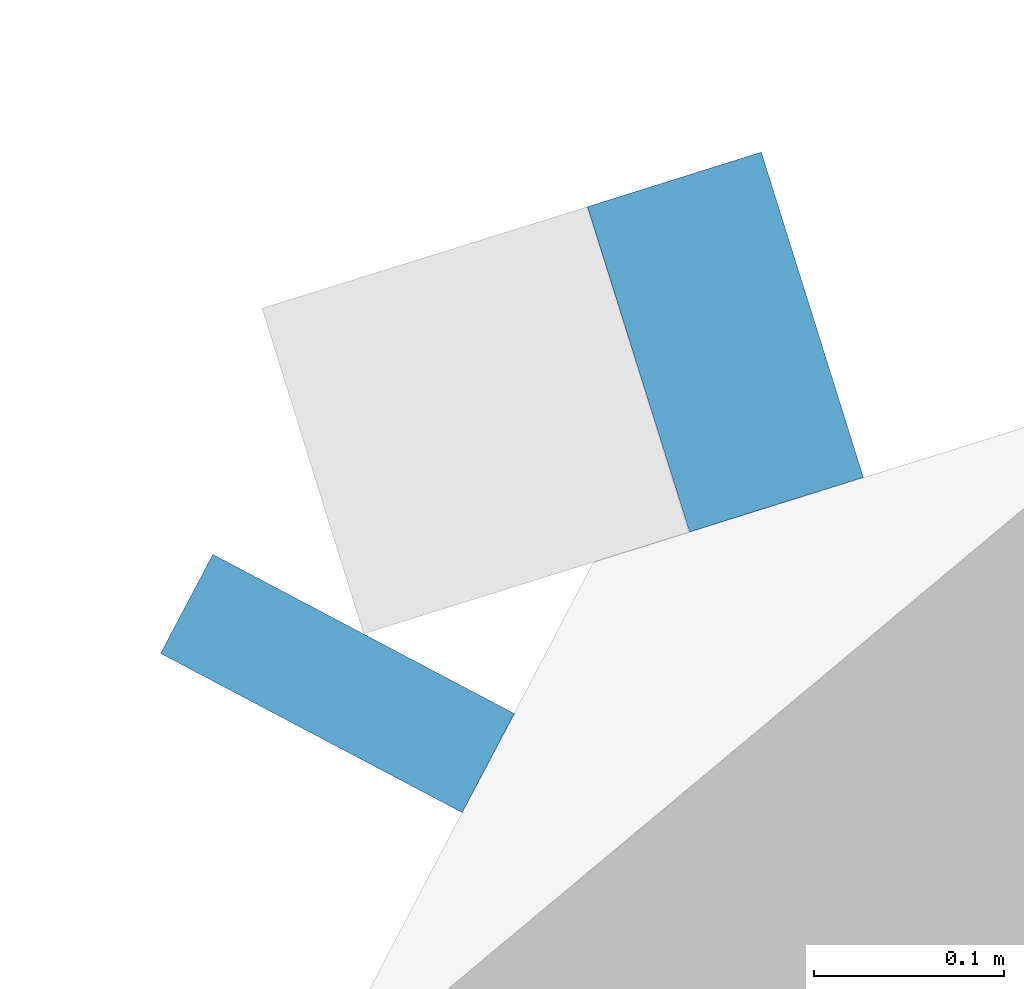
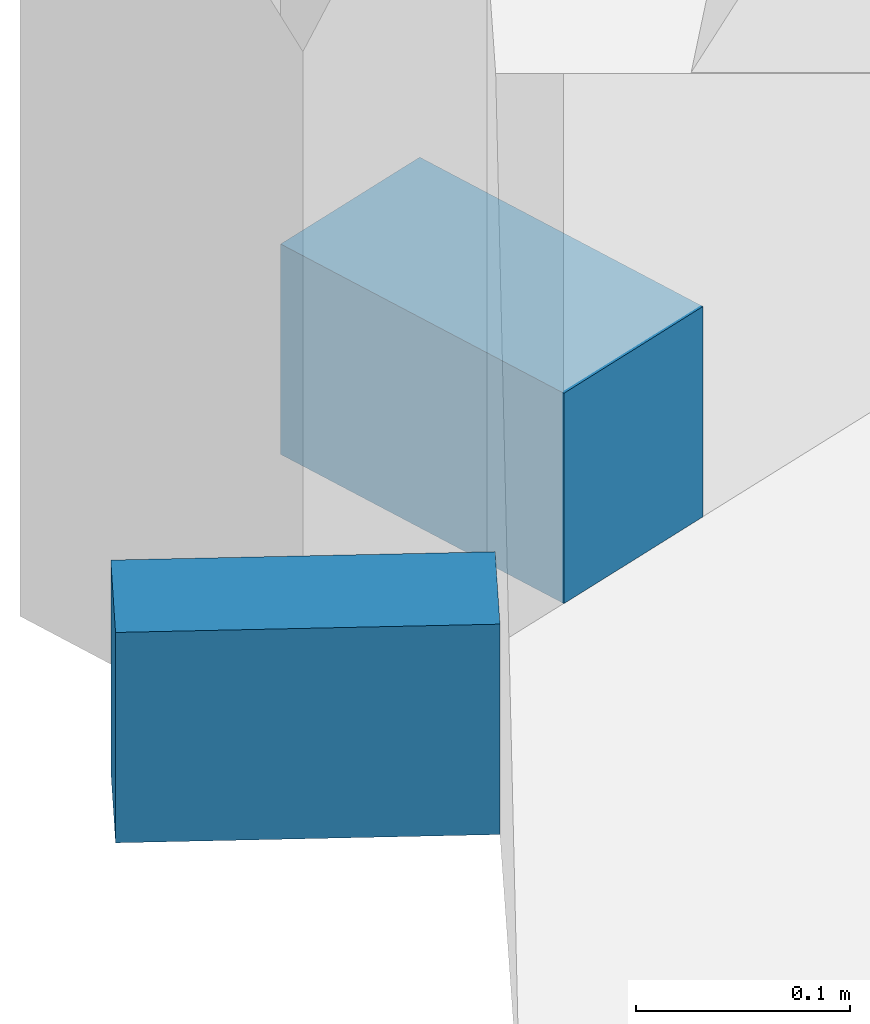
# One storey, part 14 of 23: 2 members, 2 elements without a shape of their own.
"""IFC4 building model written with IfcOpenShell, lengths in metres."""

from ifc_helpers import new_model, si_unit, direction, frame, origin, origin_2d, place, context, subcontext, project, spatial, rectangle, extrude, material, material_profile, profile_set, type_object, element, aggregate, save


model = new_model("IFC4")

# Units and contexts
model_context = context("Model", 3, precision=1e-05, world=origin(), true_north=direction((0.0, 1.0)))
body_context = subcontext(model_context, "Body", "Model", "MODEL_VIEW")
ifc_project = project(units=[si_unit("LENGTHUNIT", "METRE"), si_unit("AREAUNIT", "SQUARE_METRE"), si_unit("VOLUMEUNIT", "CUBIC_METRE"), si_unit("PLANEANGLEUNIT", "RADIAN"), si_unit("MASSUNIT", "GRAM", prefix="KILO")], contexts=[model_context])

# Site, building, storey
site_placement = place(None, origin())
site = spatial("IfcSite", under=ifc_project, at=site_placement, CompositionType="ELEMENT")
building_placement = place(site_placement, origin())
building = spatial("IfcBuilding", under=site, at=building_placement, Name="Orlundy Tower", CompositionType="ELEMENT")
storey_placement = place(building_placement, frame((0.0, 0.0, 260.5)))
storey = spatial("IfcBuildingStorey", under=building, at=storey_placement, Name="L69", CompositionType="ELEMENT", Elevation=260.5)

# Curtain wall, member
ifc_material_1 = material(Name="Aluminium bronze anodised", Category="aluminium")
curtain_wall_type = type_object("IfcCurtainWallType", Name="CW1 wall", PredefinedType="NOTDEFINED", material=ifc_material_1)
curtain_wall_1_placement = place(storey_placement, origin())
curtain_wall_1 = element("IfcCurtainWall", 1, at=curtain_wall_1_placement, inside=storey, type_object=curtain_wall_type, Name="CW1 run 02", PredefinedType="NOTDEFINED")
ifc_material_2 = material(Name="Aluminium bronze anodised", Category="aluminium")
ifc_material_profile = material_profile(ifc_material_2, rectangle(XDim=0.179931640625, YDim=0.1201171875, at=origin_2d()), Name="CW1 transom 180x120")
ifc_profile_set = profile_set([ifc_material_profile], Name="Aluminium bronze anodised")
member_type = type_object("IfcMemberType", Name="CW1 transom 180x120", PredefinedType="USERDEFINED", material=ifc_profile_set)
member_1_placement = place(storey_placement, frame((-20.948974609375, 24.8447265625, -0.340087890625), z_axis=(0.466938162214, 0.884289970919, 0.0), x_axis=(-0.884289970919, 0.466938162214, 0.0)))
member_1 = element("IfcMember", 2, at=member_1_placement, type_object=member_type, Name="CW1 transom", ObjectType="TRANSOM", PredefinedType="USERDEFINED", context=body_context, shape_type="SweptSolid", body=[
    extrude(rectangle(XDim=0.179931640625, YDim=0.1201171875, at=origin_2d()), origin(), (0.0, 0.0, 1.0), 0.05908203125),
])
aggregate(curtain_wall_1, [member_1])

curtain_wall_2_placement = place(storey_placement, origin())
curtain_wall_2 = element("IfcCurtainWall", 3, at=curtain_wall_2_placement, inside=storey, type_object=curtain_wall_type, Name="CW1 run 03", PredefinedType="NOTDEFINED")
member_2_placement = place(storey_placement, frame((-20.7763671875, 25.03662109375, -0.340087890625), z_axis=(0.954118061328, 0.299430668183, 0.0), x_axis=(-0.299430668183, 0.954118061328, 0.0)))
member_2 = element("IfcMember", 4, at=member_2_placement, type_object=member_type, Name="CW1 transom", ObjectType="TRANSOM", PredefinedType="USERDEFINED", context=body_context, shape_type="SweptSolid", body=[
    extrude(rectangle(XDim=0.179931640625, YDim=0.1201171875, at=origin_2d()), origin(), (0.0, 0.0, 1.0), 0.09619140625),
])
aggregate(curtain_wall_2, [member_2])

save(model, "model.ifc")
